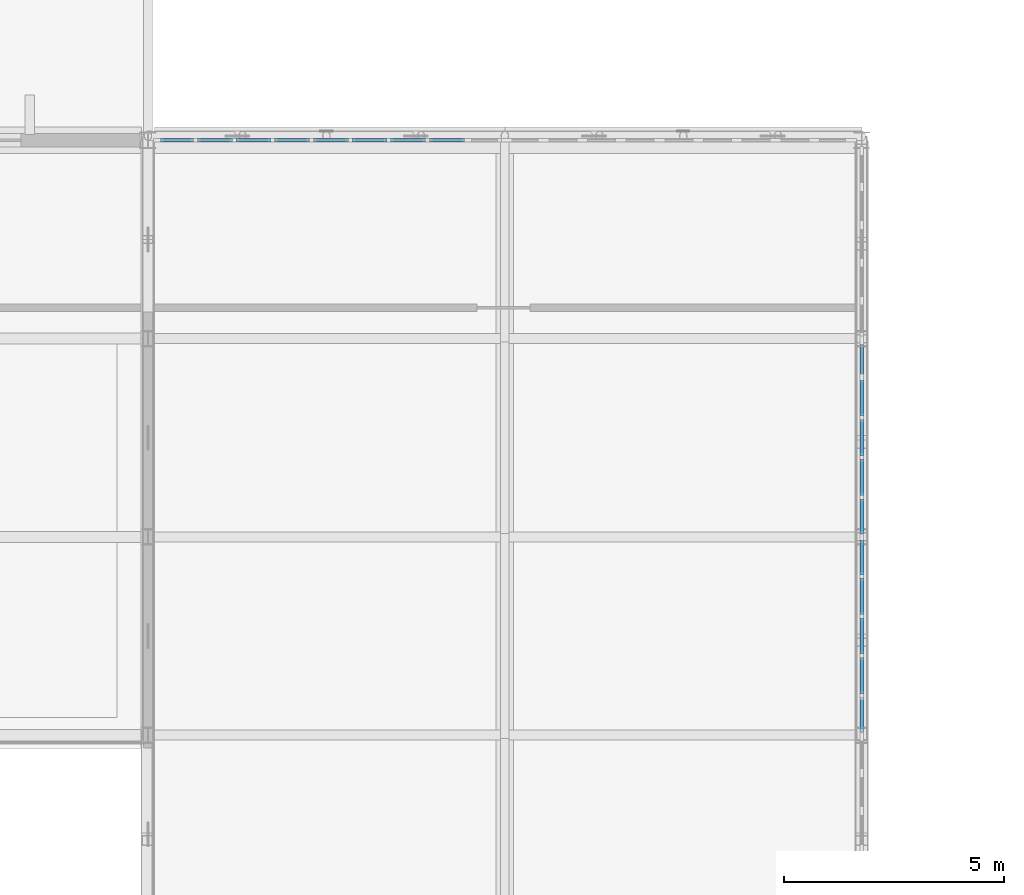
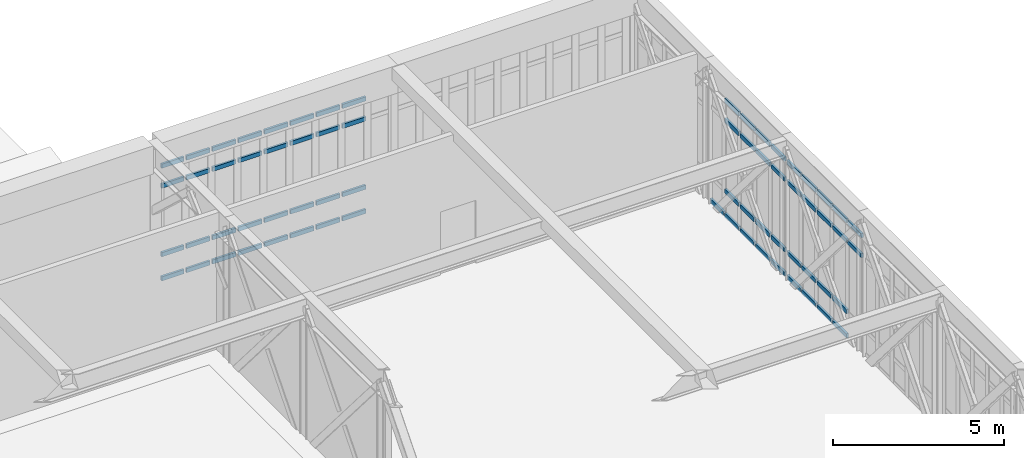
# One storey, part 34 of 70: 67 members, 3 elements without a shape of their own.
"""IFC4 building model written with IfcOpenShell, lengths in metres."""

from ifc_helpers import new_model, si_unit, direction, frame, origin, origin_2d, place, context, subcontext, project, spatial, rectangle, extrude, material, material_profile, profile_set, type_object, element, aggregate, save


model = new_model("IFC4")

# Units and contexts
model_context = context("Model", 3, precision=1e-05, world=origin(), true_north=direction((0.0, 1.0)))
body_context = subcontext(model_context, "Body", "Model", "MODEL_VIEW")
ifc_project = project(units=[si_unit("LENGTHUNIT", "METRE"), si_unit("AREAUNIT", "SQUARE_METRE"), si_unit("VOLUMEUNIT", "CUBIC_METRE"), si_unit("PLANEANGLEUNIT", "RADIAN"), si_unit("MASSUNIT", "GRAM", prefix="KILO")], contexts=[model_context])

# Site, building, storey
site_placement = place(None, origin())
site = spatial("IfcSite", under=ifc_project, at=site_placement, CompositionType="ELEMENT")
building_placement = place(site_placement, origin())
building = spatial("IfcBuilding", under=site, at=building_placement, Name="Tarnveldt Square Police Headquarters", CompositionType="ELEMENT")
storey_placement = place(building_placement, frame((0.0, 0.0, 19.800048828125)))
storey = spatial("IfcBuildingStorey", under=building, at=storey_placement, Name="L04", CompositionType="ELEMENT", Elevation=19.800048828125)

# Curtain wall, members
ifc_material_1 = material(Name="UL 752 Level III laminated ballistic vision glass", Category="glass")
curtain_wall_type_1 = type_object("IfcCurtainWallType", Name="CW-BL-790x409", PredefinedType="USERDEFINED", material=ifc_material_1)
curtain_wall_1_placement = place(storey_placement, origin())
curtain_wall_1 = element("IfcCurtainWall", 1, at=curtain_wall_1_placement, inside=storey, type_object=curtain_wall_type_1, Name="L04 Curtain Wall CW-L04-048", ObjectType="BALLISTIC CURTAIN WALL", PredefinedType="USERDEFINED")
ifc_material_2 = material(Name="Thermally broken anodised aluminium 6063-T6", Category="aluminium")
ifc_material_profile = material_profile(ifc_material_2, rectangle(XDim=0.074951171875, YDim=0.14990234375, at=origin_2d()), Name="CW-T75x150")
ifc_profile_set = profile_set([ifc_material_profile], Name="Thermally broken anodised aluminium 6063-T6")
member_type = type_object("IfcMemberType", Name="CWT-75x150", PredefinedType="USERDEFINED", material=ifc_profile_set)
member_1_placement = place(storey_placement, frame((48.886962890625, 34.0, 0.037353515625), z_axis=(1.0, 0.0, 0.0), x_axis=(0.0, 1.0, 0.0)))
member_1 = element("IfcMember", 2, at=member_1_placement, type_object=member_type, Name="CW-BL19 transom 1.1", ObjectType="TRANSOM", PredefinedType="USERDEFINED", context=body_context, shape_type="SweptSolid", body=[
    extrude(rectangle(XDim=0.074951171875, YDim=0.14990234375, at=origin_2d()), origin(), (0.0, 0.0, 1.0), 0.75),
])
member_2_placement = place(storey_placement, frame((48.886962890625, 34.0, 0.89990234375), z_axis=(1.0, 0.0, 0.0), x_axis=(0.0, 1.0, 0.0)))
member_2 = element("IfcMember", 3, at=member_2_placement, type_object=member_type, Name="CW-BL19 transom 1.2", ObjectType="TRANSOM", PredefinedType="USERDEFINED", context=body_context, shape_type="SweptSolid", body=[
    extrude(rectangle(XDim=0.074951171875, YDim=0.14990234375, at=origin_2d()), origin(), (0.0, 0.0, 1.0), 0.75),
])
member_3_placement = place(storey_placement, frame((48.886962890625, 34.0, 3.342041015625), z_axis=(1.0, 0.0, 0.0), x_axis=(0.0, 1.0, 0.0)))
member_3 = element("IfcMember", 4, at=member_3_placement, type_object=member_type, Name="CW-BL19 transom 1.3", ObjectType="TRANSOM", PredefinedType="USERDEFINED", context=body_context, shape_type="SweptSolid", body=[
    extrude(rectangle(XDim=0.074951171875, YDim=0.14990234375, at=origin_2d()), origin(), (0.0, 0.0, 1.0), 0.75),
])
member_4_placement = place(storey_placement, frame((48.886962890625, 34.0, 4.054443359375), z_axis=(1.0, 0.0, 0.0), x_axis=(0.0, 1.0, 0.0)))
member_4 = element("IfcMember", 5, at=member_4_placement, type_object=member_type, Name="CW-BL19 transom 1.4", ObjectType="TRANSOM", PredefinedType="USERDEFINED", context=body_context, shape_type="SweptSolid", body=[
    extrude(rectangle(XDim=0.074951171875, YDim=0.14990234375, at=origin_2d()), origin(), (0.0, 0.0, 1.0), 0.75),
])
member_5_placement = place(storey_placement, frame((49.72216796875, 34.0, 0.037353515625), z_axis=(1.0, 0.0, 0.0), x_axis=(0.0, 1.0, 0.0)))
member_5 = element("IfcMember", 6, at=member_5_placement, type_object=member_type, Name="CW-BL19 transom 2.1", ObjectType="TRANSOM", PredefinedType="USERDEFINED", context=body_context, shape_type="SweptSolid", body=[
    extrude(rectangle(XDim=0.074951171875, YDim=0.14990234375, at=origin_2d()), origin(), (0.0, 0.0, 1.0), 0.79248046875),
])
member_6_placement = place(storey_placement, frame((49.72216796875, 34.0, 0.89990234375), z_axis=(1.0, 0.0, 0.0), x_axis=(0.0, 1.0, 0.0)))
member_6 = element("IfcMember", 7, at=member_6_placement, type_object=member_type, Name="CW-BL19 transom 2.2", ObjectType="TRANSOM", PredefinedType="USERDEFINED", context=body_context, shape_type="SweptSolid", body=[
    extrude(rectangle(XDim=0.074951171875, YDim=0.14990234375, at=origin_2d()), origin(), (0.0, 0.0, 1.0), 0.79248046875),
])
member_7_placement = place(storey_placement, frame((49.72216796875, 34.0, 3.342041015625), z_axis=(1.0, 0.0, 0.0), x_axis=(0.0, 1.0, 0.0)))
member_7 = element("IfcMember", 8, at=member_7_placement, type_object=member_type, Name="CW-BL19 transom 2.3", ObjectType="TRANSOM", PredefinedType="USERDEFINED", context=body_context, shape_type="SweptSolid", body=[
    extrude(rectangle(XDim=0.074951171875, YDim=0.14990234375, at=origin_2d()), origin(), (0.0, 0.0, 1.0), 0.79248046875),
])
member_8_placement = place(storey_placement, frame((49.72216796875, 34.0, 4.054443359375), z_axis=(1.0, 0.0, 0.0), x_axis=(0.0, 1.0, 0.0)))
member_8 = element("IfcMember", 9, at=member_8_placement, type_object=member_type, Name="CW-BL19 transom 2.4", ObjectType="TRANSOM", PredefinedType="USERDEFINED", context=body_context, shape_type="SweptSolid", body=[
    extrude(rectangle(XDim=0.074951171875, YDim=0.14990234375, at=origin_2d()), origin(), (0.0, 0.0, 1.0), 0.79248046875),
])
member_9_placement = place(storey_placement, frame((50.599609375, 34.0, 0.037353515625), z_axis=(1.0, 0.0, 0.0), x_axis=(0.0, 1.0, 0.0)))
member_9 = element("IfcMember", 10, at=member_9_placement, type_object=member_type, Name="CW-BL19 transom 3.1", ObjectType="TRANSOM", PredefinedType="USERDEFINED", context=body_context, shape_type="SweptSolid", body=[
    extrude(rectangle(XDim=0.074951171875, YDim=0.14990234375, at=origin_2d()), origin(), (0.0, 0.0, 1.0), 0.79248046875),
])
member_10_placement = place(storey_placement, frame((50.599609375, 34.0, 0.89990234375), z_axis=(1.0, 0.0, 0.0), x_axis=(0.0, 1.0, 0.0)))
member_10 = element("IfcMember", 11, at=member_10_placement, type_object=member_type, Name="CW-BL19 transom 3.2", ObjectType="TRANSOM", PredefinedType="USERDEFINED", context=body_context, shape_type="SweptSolid", body=[
    extrude(rectangle(XDim=0.074951171875, YDim=0.14990234375, at=origin_2d()), origin(), (0.0, 0.0, 1.0), 0.79248046875),
])
member_11_placement = place(storey_placement, frame((50.599609375, 34.0, 3.342041015625), z_axis=(1.0, 0.0, 0.0), x_axis=(0.0, 1.0, 0.0)))
member_11 = element("IfcMember", 12, at=member_11_placement, type_object=member_type, Name="CW-BL19 transom 3.3", ObjectType="TRANSOM", PredefinedType="USERDEFINED", context=body_context, shape_type="SweptSolid", body=[
    extrude(rectangle(XDim=0.074951171875, YDim=0.14990234375, at=origin_2d()), origin(), (0.0, 0.0, 1.0), 0.79248046875),
])
member_12_placement = place(storey_placement, frame((50.599609375, 34.0, 4.054443359375), z_axis=(1.0, 0.0, 0.0), x_axis=(0.0, 1.0, 0.0)))
member_12 = element("IfcMember", 13, at=member_12_placement, type_object=member_type, Name="CW-BL19 transom 3.4", ObjectType="TRANSOM", PredefinedType="USERDEFINED", context=body_context, shape_type="SweptSolid", body=[
    extrude(rectangle(XDim=0.074951171875, YDim=0.14990234375, at=origin_2d()), origin(), (0.0, 0.0, 1.0), 0.79248046875),
])
member_13_placement = place(storey_placement, frame((51.47705078125, 34.0, 0.037353515625), z_axis=(1.0, 0.0, 0.0), x_axis=(0.0, 1.0, 0.0)))
member_13 = element("IfcMember", 14, at=member_13_placement, type_object=member_type, Name="CW-BL19 transom 4.1", ObjectType="TRANSOM", PredefinedType="USERDEFINED", context=body_context, shape_type="SweptSolid", body=[
    extrude(rectangle(XDim=0.074951171875, YDim=0.14990234375, at=origin_2d()), origin(), (0.0, 0.0, 1.0), 0.792724609375),
])
member_14_placement = place(storey_placement, frame((51.47705078125, 34.0, 0.89990234375), z_axis=(1.0, 0.0, 0.0), x_axis=(0.0, 1.0, 0.0)))
member_14 = element("IfcMember", 15, at=member_14_placement, type_object=member_type, Name="CW-BL19 transom 4.2", ObjectType="TRANSOM", PredefinedType="USERDEFINED", context=body_context, shape_type="SweptSolid", body=[
    extrude(rectangle(XDim=0.074951171875, YDim=0.14990234375, at=origin_2d()), origin(), (0.0, 0.0, 1.0), 0.792724609375),
])
member_15_placement = place(storey_placement, frame((51.47705078125, 34.0, 3.342041015625), z_axis=(1.0, 0.0, 0.0), x_axis=(0.0, 1.0, 0.0)))
member_15 = element("IfcMember", 16, at=member_15_placement, type_object=member_type, Name="CW-BL19 transom 4.3", ObjectType="TRANSOM", PredefinedType="USERDEFINED", context=body_context, shape_type="SweptSolid", body=[
    extrude(rectangle(XDim=0.074951171875, YDim=0.14990234375, at=origin_2d()), origin(), (0.0, 0.0, 1.0), 0.792724609375),
])
member_16_placement = place(storey_placement, frame((51.47705078125, 34.0, 4.054443359375), z_axis=(1.0, 0.0, 0.0), x_axis=(0.0, 1.0, 0.0)))
member_16 = element("IfcMember", 17, at=member_16_placement, type_object=member_type, Name="CW-BL19 transom 4.4", ObjectType="TRANSOM", PredefinedType="USERDEFINED", context=body_context, shape_type="SweptSolid", body=[
    extrude(rectangle(XDim=0.074951171875, YDim=0.14990234375, at=origin_2d()), origin(), (0.0, 0.0, 1.0), 0.792724609375),
])
member_17_placement = place(storey_placement, frame((52.354736328125, 34.0, 0.037353515625), z_axis=(1.0, 0.0, 0.0), x_axis=(0.0, 1.0, 0.0)))
member_17 = element("IfcMember", 18, at=member_17_placement, type_object=member_type, Name="CW-BL19 transom 5.1", ObjectType="TRANSOM", PredefinedType="USERDEFINED", context=body_context, shape_type="SweptSolid", body=[
    extrude(rectangle(XDim=0.074951171875, YDim=0.14990234375, at=origin_2d()), origin(), (0.0, 0.0, 1.0), 0.79248046875),
])
member_18_placement = place(storey_placement, frame((52.354736328125, 34.0, 0.89990234375), z_axis=(1.0, 0.0, 0.0), x_axis=(0.0, 1.0, 0.0)))
member_18 = element("IfcMember", 19, at=member_18_placement, type_object=member_type, Name="CW-BL19 transom 5.2", ObjectType="TRANSOM", PredefinedType="USERDEFINED", context=body_context, shape_type="SweptSolid", body=[
    extrude(rectangle(XDim=0.074951171875, YDim=0.14990234375, at=origin_2d()), origin(), (0.0, 0.0, 1.0), 0.79248046875),
])
member_19_placement = place(storey_placement, frame((52.354736328125, 34.0, 3.342041015625), z_axis=(1.0, 0.0, 0.0), x_axis=(0.0, 1.0, 0.0)))
member_19 = element("IfcMember", 20, at=member_19_placement, type_object=member_type, Name="CW-BL19 transom 5.3", ObjectType="TRANSOM", PredefinedType="USERDEFINED", context=body_context, shape_type="SweptSolid", body=[
    extrude(rectangle(XDim=0.074951171875, YDim=0.14990234375, at=origin_2d()), origin(), (0.0, 0.0, 1.0), 0.79248046875),
])
member_20_placement = place(storey_placement, frame((52.354736328125, 34.0, 4.054443359375), z_axis=(1.0, 0.0, 0.0), x_axis=(0.0, 1.0, 0.0)))
member_20 = element("IfcMember", 21, at=member_20_placement, type_object=member_type, Name="CW-BL19 transom 5.4", ObjectType="TRANSOM", PredefinedType="USERDEFINED", context=body_context, shape_type="SweptSolid", body=[
    extrude(rectangle(XDim=0.074951171875, YDim=0.14990234375, at=origin_2d()), origin(), (0.0, 0.0, 1.0), 0.79248046875),
])
member_21_placement = place(storey_placement, frame((53.232177734375, 34.0, 0.037353515625), z_axis=(1.0, 0.0, 0.0), x_axis=(0.0, 1.0, 0.0)))
member_21 = element("IfcMember", 22, at=member_21_placement, type_object=member_type, Name="CW-BL19 transom 6.1", ObjectType="TRANSOM", PredefinedType="USERDEFINED", context=body_context, shape_type="SweptSolid", body=[
    extrude(rectangle(XDim=0.074951171875, YDim=0.14990234375, at=origin_2d()), origin(), (0.0, 0.0, 1.0), 0.792724609375),
])
member_22_placement = place(storey_placement, frame((53.232177734375, 34.0, 0.89990234375), z_axis=(1.0, 0.0, 0.0), x_axis=(0.0, 1.0, 0.0)))
member_22 = element("IfcMember", 23, at=member_22_placement, type_object=member_type, Name="CW-BL19 transom 6.2", ObjectType="TRANSOM", PredefinedType="USERDEFINED", context=body_context, shape_type="SweptSolid", body=[
    extrude(rectangle(XDim=0.074951171875, YDim=0.14990234375, at=origin_2d()), origin(), (0.0, 0.0, 1.0), 0.792724609375),
])
member_23_placement = place(storey_placement, frame((53.232177734375, 34.0, 3.342041015625), z_axis=(1.0, 0.0, 0.0), x_axis=(0.0, 1.0, 0.0)))
member_23 = element("IfcMember", 24, at=member_23_placement, type_object=member_type, Name="CW-BL19 transom 6.3", ObjectType="TRANSOM", PredefinedType="USERDEFINED", context=body_context, shape_type="SweptSolid", body=[
    extrude(rectangle(XDim=0.074951171875, YDim=0.14990234375, at=origin_2d()), origin(), (0.0, 0.0, 1.0), 0.792724609375),
])
member_24_placement = place(storey_placement, frame((53.232177734375, 34.0, 4.054443359375), z_axis=(1.0, 0.0, 0.0), x_axis=(0.0, 1.0, 0.0)))
member_24 = element("IfcMember", 25, at=member_24_placement, type_object=member_type, Name="CW-BL19 transom 6.4", ObjectType="TRANSOM", PredefinedType="USERDEFINED", context=body_context, shape_type="SweptSolid", body=[
    extrude(rectangle(XDim=0.074951171875, YDim=0.14990234375, at=origin_2d()), origin(), (0.0, 0.0, 1.0), 0.792724609375),
])
member_25_placement = place(storey_placement, frame((54.10986328125, 34.0, 0.037353515625), z_axis=(1.0, 0.0, 0.0), x_axis=(0.0, 1.0, 0.0)))
member_25 = element("IfcMember", 26, at=member_25_placement, type_object=member_type, Name="CW-BL19 transom 7.1", ObjectType="TRANSOM", PredefinedType="USERDEFINED", context=body_context, shape_type="SweptSolid", body=[
    extrude(rectangle(XDim=0.074951171875, YDim=0.14990234375, at=origin_2d()), origin(), (0.0, 0.0, 1.0), 0.79248046875),
])
member_26_placement = place(storey_placement, frame((54.10986328125, 34.0, 0.89990234375), z_axis=(1.0, 0.0, 0.0), x_axis=(0.0, 1.0, 0.0)))
member_26 = element("IfcMember", 27, at=member_26_placement, type_object=member_type, Name="CW-BL19 transom 7.2", ObjectType="TRANSOM", PredefinedType="USERDEFINED", context=body_context, shape_type="SweptSolid", body=[
    extrude(rectangle(XDim=0.074951171875, YDim=0.14990234375, at=origin_2d()), origin(), (0.0, 0.0, 1.0), 0.79248046875),
])
member_27_placement = place(storey_placement, frame((54.10986328125, 34.0, 3.342041015625), z_axis=(1.0, 0.0, 0.0), x_axis=(0.0, 1.0, 0.0)))
member_27 = element("IfcMember", 28, at=member_27_placement, type_object=member_type, Name="CW-BL19 transom 7.3", ObjectType="TRANSOM", PredefinedType="USERDEFINED", context=body_context, shape_type="SweptSolid", body=[
    extrude(rectangle(XDim=0.074951171875, YDim=0.14990234375, at=origin_2d()), origin(), (0.0, 0.0, 1.0), 0.79248046875),
])
member_28_placement = place(storey_placement, frame((54.10986328125, 34.0, 4.054443359375), z_axis=(1.0, 0.0, 0.0), x_axis=(0.0, 1.0, 0.0)))
member_28 = element("IfcMember", 29, at=member_28_placement, type_object=member_type, Name="CW-BL19 transom 7.4", ObjectType="TRANSOM", PredefinedType="USERDEFINED", context=body_context, shape_type="SweptSolid", body=[
    extrude(rectangle(XDim=0.074951171875, YDim=0.14990234375, at=origin_2d()), origin(), (0.0, 0.0, 1.0), 0.79248046875),
])
member_29_placement = place(storey_placement, frame((54.9873046875, 34.0, 0.037353515625), z_axis=(1.0, 0.0, 0.0), x_axis=(0.0, 1.0, 0.0)))
member_29 = element("IfcMember", 30, at=member_29_placement, type_object=member_type, Name="CW-BL19 transom 8.1", ObjectType="TRANSOM", PredefinedType="USERDEFINED", context=body_context, shape_type="SweptSolid", body=[
    extrude(rectangle(XDim=0.074951171875, YDim=0.14990234375, at=origin_2d()), origin(), (0.0, 0.0, 1.0), 0.792724609375),
])
member_30_placement = place(storey_placement, frame((54.9873046875, 34.0, 0.89990234375), z_axis=(1.0, 0.0, 0.0), x_axis=(0.0, 1.0, 0.0)))
member_30 = element("IfcMember", 31, at=member_30_placement, type_object=member_type, Name="CW-BL19 transom 8.2", ObjectType="TRANSOM", PredefinedType="USERDEFINED", context=body_context, shape_type="SweptSolid", body=[
    extrude(rectangle(XDim=0.074951171875, YDim=0.14990234375, at=origin_2d()), origin(), (0.0, 0.0, 1.0), 0.792724609375),
])
member_31_placement = place(storey_placement, frame((54.9873046875, 34.0, 3.342041015625), z_axis=(1.0, 0.0, 0.0), x_axis=(0.0, 1.0, 0.0)))
member_31 = element("IfcMember", 32, at=member_31_placement, type_object=member_type, Name="CW-BL19 transom 8.3", ObjectType="TRANSOM", PredefinedType="USERDEFINED", context=body_context, shape_type="SweptSolid", body=[
    extrude(rectangle(XDim=0.074951171875, YDim=0.14990234375, at=origin_2d()), origin(), (0.0, 0.0, 1.0), 0.792724609375),
])
member_32_placement = place(storey_placement, frame((54.9873046875, 34.0, 4.054443359375), z_axis=(1.0, 0.0, 0.0), x_axis=(0.0, 1.0, 0.0)))
member_32 = element("IfcMember", 33, at=member_32_placement, type_object=member_type, Name="CW-BL19 transom 8.4", ObjectType="TRANSOM", PredefinedType="USERDEFINED", context=body_context, shape_type="SweptSolid", body=[
    extrude(rectangle(XDim=0.074951171875, YDim=0.14990234375, at=origin_2d()), origin(), (0.0, 0.0, 1.0), 0.792724609375),
])
aggregate(curtain_wall_1, [member_1, member_2, member_3, member_4, member_5, member_6, member_7, member_8, member_9, member_10, member_11, member_12, member_13, member_14, member_15, member_16, member_17, member_18, member_19, member_20, member_21, member_22, member_23, member_24, member_25, member_26, member_27, member_28, member_29, member_30, member_31, member_32])

ifc_material_3 = material(Name="Triple-glazed low-e laminated vision glass", Category="glass")
curtain_wall_type_2 = type_object("IfcCurtainWallType", Name="CW-LT-450x417", PredefinedType="USERDEFINED", material=ifc_material_3)
curtain_wall_2_placement = place(storey_placement, origin())
curtain_wall_2 = element("IfcCurtainWall", 34, at=curtain_wall_2_placement, inside=storey, type_object=curtain_wall_type_2, Name="L04 Curtain Wall CW-L04-059", ObjectType="GLAZED CURTAIN WALL", PredefinedType="USERDEFINED")
member_33_placement = place(storey_placement, frame((64.800048828125, 20.574951171875, 3.4228515625), z_axis=(0.0, 1.0, 0.0), x_axis=(-1.0, 0.0, 0.0)))
member_33 = element("IfcMember", 35, at=member_33_placement, type_object=member_type, Name="CW-LT22 transom 1.3", ObjectType="TRANSOM", PredefinedType="USERDEFINED", context=body_context, shape_type="SweptSolid", body=[
    extrude(rectangle(XDim=0.074951171875, YDim=0.14990234375, at=origin_2d()), origin(), (0.0, 0.0, 1.0), 0.78759765625),
])
member_34_placement = place(storey_placement, frame((64.800048828125, 20.574951171875, 4.135498046875), z_axis=(0.0, 1.0, 0.0), x_axis=(-1.0, 0.0, 0.0)))
member_34 = element("IfcMember", 36, at=member_34_placement, type_object=member_type, Name="CW-LT22 transom 1.4", ObjectType="TRANSOM", PredefinedType="USERDEFINED", context=body_context, shape_type="SweptSolid", body=[
    extrude(rectangle(XDim=0.074951171875, YDim=0.14990234375, at=origin_2d()), origin(), (0.0, 0.0, 1.0), 0.78759765625),
])
member_35_placement = place(storey_placement, frame((64.800048828125, 21.4375, 0.037353515625), z_axis=(0.0, 1.0, 0.0), x_axis=(-1.0, 0.0, 0.0)))
member_35 = element("IfcMember", 37, at=member_35_placement, type_object=member_type, Name="CW-LT22 transom 2.1", ObjectType="TRANSOM", PredefinedType="USERDEFINED", context=body_context, shape_type="SweptSolid", body=[
    extrude(rectangle(XDim=0.074951171875, YDim=0.14990234375, at=origin_2d()), origin(), (0.0, 0.0, 1.0), 0.824951171875),
])
member_36_placement = place(storey_placement, frame((64.800048828125, 21.4375, 0.89990234375), z_axis=(0.0, 1.0, 0.0), x_axis=(-1.0, 0.0, 0.0)))
member_36 = element("IfcMember", 38, at=member_36_placement, type_object=member_type, Name="CW-LT22 transom 2.2", ObjectType="TRANSOM", PredefinedType="USERDEFINED", context=body_context, shape_type="SweptSolid", body=[
    extrude(rectangle(XDim=0.074951171875, YDim=0.14990234375, at=origin_2d()), origin(), (0.0, 0.0, 1.0), 0.824951171875),
])
member_37_placement = place(storey_placement, frame((64.800048828125, 21.4375, 3.4228515625), z_axis=(0.0, 1.0, 0.0), x_axis=(-1.0, 0.0, 0.0)))
member_37 = element("IfcMember", 39, at=member_37_placement, type_object=member_type, Name="CW-LT22 transom 2.3", ObjectType="TRANSOM", PredefinedType="USERDEFINED", context=body_context, shape_type="SweptSolid", body=[
    extrude(rectangle(XDim=0.074951171875, YDim=0.14990234375, at=origin_2d()), origin(), (0.0, 0.0, 1.0), 0.824951171875),
])
member_38_placement = place(storey_placement, frame((64.800048828125, 21.4375, 4.135498046875), z_axis=(0.0, 1.0, 0.0), x_axis=(-1.0, 0.0, 0.0)))
member_38 = element("IfcMember", 40, at=member_38_placement, type_object=member_type, Name="CW-LT22 transom 2.4", ObjectType="TRANSOM", PredefinedType="USERDEFINED", context=body_context, shape_type="SweptSolid", body=[
    extrude(rectangle(XDim=0.074951171875, YDim=0.14990234375, at=origin_2d()), origin(), (0.0, 0.0, 1.0), 0.824951171875),
])
member_39_placement = place(storey_placement, frame((64.800048828125, 22.33740234375, 0.037353515625), z_axis=(0.0, 1.0, 0.0), x_axis=(-1.0, 0.0, 0.0)))
member_39 = element("IfcMember", 41, at=member_39_placement, type_object=member_type, Name="CW-LT22 transom 3.1", ObjectType="TRANSOM", PredefinedType="USERDEFINED", context=body_context, shape_type="SweptSolid", body=[
    extrude(rectangle(XDim=0.074951171875, YDim=0.14990234375, at=origin_2d()), origin(), (0.0, 0.0, 1.0), 0.8251953125),
])
member_40_placement = place(storey_placement, frame((64.800048828125, 22.33740234375, 0.89990234375), z_axis=(0.0, 1.0, 0.0), x_axis=(-1.0, 0.0, 0.0)))
member_40 = element("IfcMember", 42, at=member_40_placement, type_object=member_type, Name="CW-LT22 transom 3.2", ObjectType="TRANSOM", PredefinedType="USERDEFINED", context=body_context, shape_type="SweptSolid", body=[
    extrude(rectangle(XDim=0.074951171875, YDim=0.14990234375, at=origin_2d()), origin(), (0.0, 0.0, 1.0), 0.8251953125),
])
member_41_placement = place(storey_placement, frame((64.800048828125, 22.33740234375, 3.4228515625), z_axis=(0.0, 1.0, 0.0), x_axis=(-1.0, 0.0, 0.0)))
member_41 = element("IfcMember", 43, at=member_41_placement, type_object=member_type, Name="CW-LT22 transom 3.3", ObjectType="TRANSOM", PredefinedType="USERDEFINED", context=body_context, shape_type="SweptSolid", body=[
    extrude(rectangle(XDim=0.074951171875, YDim=0.14990234375, at=origin_2d()), origin(), (0.0, 0.0, 1.0), 0.8251953125),
])
member_42_placement = place(storey_placement, frame((64.800048828125, 22.33740234375, 4.135498046875), z_axis=(0.0, 1.0, 0.0), x_axis=(-1.0, 0.0, 0.0)))
member_42 = element("IfcMember", 44, at=member_42_placement, type_object=member_type, Name="CW-LT22 transom 3.4", ObjectType="TRANSOM", PredefinedType="USERDEFINED", context=body_context, shape_type="SweptSolid", body=[
    extrude(rectangle(XDim=0.074951171875, YDim=0.14990234375, at=origin_2d()), origin(), (0.0, 0.0, 1.0), 0.8251953125),
])
member_43_placement = place(storey_placement, frame((64.800048828125, 23.237548828125, 0.037353515625), z_axis=(0.0, 1.0, 0.0), x_axis=(-1.0, 0.0, 0.0)))
member_43 = element("IfcMember", 45, at=member_43_placement, type_object=member_type, Name="CW-LT22 transom 4.1", ObjectType="TRANSOM", PredefinedType="USERDEFINED", context=body_context, shape_type="SweptSolid", body=[
    extrude(rectangle(XDim=0.074951171875, YDim=0.14990234375, at=origin_2d()), origin(), (0.0, 0.0, 1.0), 0.824951171875),
])
member_44_placement = place(storey_placement, frame((64.800048828125, 23.237548828125, 0.89990234375), z_axis=(0.0, 1.0, 0.0), x_axis=(-1.0, 0.0, 0.0)))
member_44 = element("IfcMember", 46, at=member_44_placement, type_object=member_type, Name="CW-LT22 transom 4.2", ObjectType="TRANSOM", PredefinedType="USERDEFINED", context=body_context, shape_type="SweptSolid", body=[
    extrude(rectangle(XDim=0.074951171875, YDim=0.14990234375, at=origin_2d()), origin(), (0.0, 0.0, 1.0), 0.824951171875),
])
member_45_placement = place(storey_placement, frame((64.800048828125, 23.237548828125, 3.4228515625), z_axis=(0.0, 1.0, 0.0), x_axis=(-1.0, 0.0, 0.0)))
member_45 = element("IfcMember", 47, at=member_45_placement, type_object=member_type, Name="CW-LT22 transom 4.3", ObjectType="TRANSOM", PredefinedType="USERDEFINED", context=body_context, shape_type="SweptSolid", body=[
    extrude(rectangle(XDim=0.074951171875, YDim=0.14990234375, at=origin_2d()), origin(), (0.0, 0.0, 1.0), 0.824951171875),
])
member_46_placement = place(storey_placement, frame((64.800048828125, 23.237548828125, 4.135498046875), z_axis=(0.0, 1.0, 0.0), x_axis=(-1.0, 0.0, 0.0)))
member_46 = element("IfcMember", 48, at=member_46_placement, type_object=member_type, Name="CW-LT22 transom 4.4", ObjectType="TRANSOM", PredefinedType="USERDEFINED", context=body_context, shape_type="SweptSolid", body=[
    extrude(rectangle(XDim=0.074951171875, YDim=0.14990234375, at=origin_2d()), origin(), (0.0, 0.0, 1.0), 0.824951171875),
])
member_47_placement = place(storey_placement, frame((64.800048828125, 24.137451171875, 0.037353515625), z_axis=(0.0, 1.0, 0.0), x_axis=(-1.0, 0.0, 0.0)))
member_47 = element("IfcMember", 49, at=member_47_placement, type_object=member_type, Name="CW-LT22 transom 5.1", ObjectType="TRANSOM", PredefinedType="USERDEFINED", context=body_context, shape_type="SweptSolid", body=[
    extrude(rectangle(XDim=0.074951171875, YDim=0.14990234375, at=origin_2d()), origin(), (0.0, 0.0, 1.0), 0.78759765625),
])
member_48_placement = place(storey_placement, frame((64.800048828125, 24.137451171875, 0.89990234375), z_axis=(0.0, 1.0, 0.0), x_axis=(-1.0, 0.0, 0.0)))
member_48 = element("IfcMember", 50, at=member_48_placement, type_object=member_type, Name="CW-LT22 transom 5.2", ObjectType="TRANSOM", PredefinedType="USERDEFINED", context=body_context, shape_type="SweptSolid", body=[
    extrude(rectangle(XDim=0.074951171875, YDim=0.14990234375, at=origin_2d()), origin(), (0.0, 0.0, 1.0), 0.78759765625),
])
member_49_placement = place(storey_placement, frame((64.800048828125, 24.137451171875, 3.4228515625), z_axis=(0.0, 1.0, 0.0), x_axis=(-1.0, 0.0, 0.0)))
member_49 = element("IfcMember", 51, at=member_49_placement, type_object=member_type, Name="CW-LT22 transom 5.3", ObjectType="TRANSOM", PredefinedType="USERDEFINED", context=body_context, shape_type="SweptSolid", body=[
    extrude(rectangle(XDim=0.074951171875, YDim=0.14990234375, at=origin_2d()), origin(), (0.0, 0.0, 1.0), 0.78759765625),
])
member_50_placement = place(storey_placement, frame((64.800048828125, 24.137451171875, 4.135498046875), z_axis=(0.0, 1.0, 0.0), x_axis=(-1.0, 0.0, 0.0)))
member_50 = element("IfcMember", 52, at=member_50_placement, type_object=member_type, Name="CW-LT22 transom 5.4", ObjectType="TRANSOM", PredefinedType="USERDEFINED", context=body_context, shape_type="SweptSolid", body=[
    extrude(rectangle(XDim=0.074951171875, YDim=0.14990234375, at=origin_2d()), origin(), (0.0, 0.0, 1.0), 0.78759765625),
])
aggregate(curtain_wall_2, [member_33, member_34, member_35, member_36, member_37, member_38, member_39, member_40, member_41, member_42, member_43, member_44, member_45, member_46, member_47, member_48, member_49, member_50])

curtain_wall_3_placement = place(storey_placement, origin())
curtain_wall_3 = element("IfcCurtainWall", 53, at=curtain_wall_3_placement, inside=storey, type_object=curtain_wall_type_2, Name="L04 Curtain Wall CW-L04-060", ObjectType="GLAZED CURTAIN WALL", PredefinedType="USERDEFINED")
member_51_placement = place(storey_placement, frame((64.800048828125, 25.074951171875, 0.037353515625), z_axis=(0.0, 1.0, 0.0), x_axis=(-1.0, 0.0, 0.0)))
member_51 = element("IfcMember", 54, at=member_51_placement, type_object=member_type, Name="CW-LT22 transom 1.1", ObjectType="TRANSOM", PredefinedType="USERDEFINED", context=body_context, shape_type="SweptSolid", body=[
    extrude(rectangle(XDim=0.074951171875, YDim=0.14990234375, at=origin_2d()), origin(), (0.0, 0.0, 1.0), 0.78759765625),
])
member_52_placement = place(storey_placement, frame((64.800048828125, 25.074951171875, 0.89990234375), z_axis=(0.0, 1.0, 0.0), x_axis=(-1.0, 0.0, 0.0)))
member_52 = element("IfcMember", 55, at=member_52_placement, type_object=member_type, Name="CW-LT22 transom 1.2", ObjectType="TRANSOM", PredefinedType="USERDEFINED", context=body_context, shape_type="SweptSolid", body=[
    extrude(rectangle(XDim=0.074951171875, YDim=0.14990234375, at=origin_2d()), origin(), (0.0, 0.0, 1.0), 0.78759765625),
])
member_53_placement = place(storey_placement, frame((64.800048828125, 25.074951171875, 3.4228515625), z_axis=(0.0, 1.0, 0.0), x_axis=(-1.0, 0.0, 0.0)))
member_53 = element("IfcMember", 56, at=member_53_placement, type_object=member_type, Name="CW-LT22 transom 1.3", ObjectType="TRANSOM", PredefinedType="USERDEFINED", context=body_context, shape_type="SweptSolid", body=[
    extrude(rectangle(XDim=0.074951171875, YDim=0.14990234375, at=origin_2d()), origin(), (0.0, 0.0, 1.0), 0.78759765625),
])
member_54_placement = place(storey_placement, frame((64.800048828125, 25.074951171875, 4.135498046875), z_axis=(0.0, 1.0, 0.0), x_axis=(-1.0, 0.0, 0.0)))
member_54 = element("IfcMember", 57, at=member_54_placement, type_object=member_type, Name="CW-LT22 transom 1.4", ObjectType="TRANSOM", PredefinedType="USERDEFINED", context=body_context, shape_type="SweptSolid", body=[
    extrude(rectangle(XDim=0.074951171875, YDim=0.14990234375, at=origin_2d()), origin(), (0.0, 0.0, 1.0), 0.78759765625),
])
member_55_placement = place(storey_placement, frame((64.800048828125, 25.9375, 0.037353515625), z_axis=(0.0, 1.0, 0.0), x_axis=(-1.0, 0.0, 0.0)))
member_55 = element("IfcMember", 58, at=member_55_placement, type_object=member_type, Name="CW-LT22 transom 2.1", ObjectType="TRANSOM", PredefinedType="USERDEFINED", context=body_context, shape_type="SweptSolid", body=[
    extrude(rectangle(XDim=0.074951171875, YDim=0.14990234375, at=origin_2d()), origin(), (0.0, 0.0, 1.0), 0.824951171875),
])
member_56_placement = place(storey_placement, frame((64.800048828125, 25.9375, 0.89990234375), z_axis=(0.0, 1.0, 0.0), x_axis=(-1.0, 0.0, 0.0)))
member_56 = element("IfcMember", 59, at=member_56_placement, type_object=member_type, Name="CW-LT22 transom 2.2", ObjectType="TRANSOM", PredefinedType="USERDEFINED", context=body_context, shape_type="SweptSolid", body=[
    extrude(rectangle(XDim=0.074951171875, YDim=0.14990234375, at=origin_2d()), origin(), (0.0, 0.0, 1.0), 0.824951171875),
])
member_57_placement = place(storey_placement, frame((64.800048828125, 25.9375, 3.4228515625), z_axis=(0.0, 1.0, 0.0), x_axis=(-1.0, 0.0, 0.0)))
member_57 = element("IfcMember", 60, at=member_57_placement, type_object=member_type, Name="CW-LT22 transom 2.3", ObjectType="TRANSOM", PredefinedType="USERDEFINED", context=body_context, shape_type="SweptSolid", body=[
    extrude(rectangle(XDim=0.074951171875, YDim=0.14990234375, at=origin_2d()), origin(), (0.0, 0.0, 1.0), 0.824951171875),
])
member_58_placement = place(storey_placement, frame((64.800048828125, 25.9375, 4.135498046875), z_axis=(0.0, 1.0, 0.0), x_axis=(-1.0, 0.0, 0.0)))
member_58 = element("IfcMember", 61, at=member_58_placement, type_object=member_type, Name="CW-LT22 transom 2.4", ObjectType="TRANSOM", PredefinedType="USERDEFINED", context=body_context, shape_type="SweptSolid", body=[
    extrude(rectangle(XDim=0.074951171875, YDim=0.14990234375, at=origin_2d()), origin(), (0.0, 0.0, 1.0), 0.824951171875),
])
member_59_placement = place(storey_placement, frame((64.800048828125, 26.83740234375, 0.037353515625), z_axis=(0.0, 1.0, 0.0), x_axis=(-1.0, 0.0, 0.0)))
member_59 = element("IfcMember", 62, at=member_59_placement, type_object=member_type, Name="CW-LT22 transom 3.1", ObjectType="TRANSOM", PredefinedType="USERDEFINED", context=body_context, shape_type="SweptSolid", body=[
    extrude(rectangle(XDim=0.074951171875, YDim=0.14990234375, at=origin_2d()), origin(), (0.0, 0.0, 1.0), 0.8251953125),
])
member_60_placement = place(storey_placement, frame((64.800048828125, 26.83740234375, 0.89990234375), z_axis=(0.0, 1.0, 0.0), x_axis=(-1.0, 0.0, 0.0)))
member_60 = element("IfcMember", 63, at=member_60_placement, type_object=member_type, Name="CW-LT22 transom 3.2", ObjectType="TRANSOM", PredefinedType="USERDEFINED", context=body_context, shape_type="SweptSolid", body=[
    extrude(rectangle(XDim=0.074951171875, YDim=0.14990234375, at=origin_2d()), origin(), (0.0, 0.0, 1.0), 0.8251953125),
])
member_61_placement = place(storey_placement, frame((64.800048828125, 26.83740234375, 3.4228515625), z_axis=(0.0, 1.0, 0.0), x_axis=(-1.0, 0.0, 0.0)))
member_61 = element("IfcMember", 64, at=member_61_placement, type_object=member_type, Name="CW-LT22 transom 3.3", ObjectType="TRANSOM", PredefinedType="USERDEFINED", context=body_context, shape_type="SweptSolid", body=[
    extrude(rectangle(XDim=0.074951171875, YDim=0.14990234375, at=origin_2d()), origin(), (0.0, 0.0, 1.0), 0.8251953125),
])
member_62_placement = place(storey_placement, frame((64.800048828125, 26.83740234375, 4.135498046875), z_axis=(0.0, 1.0, 0.0), x_axis=(-1.0, 0.0, 0.0)))
member_62 = element("IfcMember", 65, at=member_62_placement, type_object=member_type, Name="CW-LT22 transom 3.4", ObjectType="TRANSOM", PredefinedType="USERDEFINED", context=body_context, shape_type="SweptSolid", body=[
    extrude(rectangle(XDim=0.074951171875, YDim=0.14990234375, at=origin_2d()), origin(), (0.0, 0.0, 1.0), 0.8251953125),
])
member_63_placement = place(storey_placement, frame((64.800048828125, 27.737548828125, 0.037353515625), z_axis=(0.0, 1.0, 0.0), x_axis=(-1.0, 0.0, 0.0)))
member_63 = element("IfcMember", 66, at=member_63_placement, type_object=member_type, Name="CW-LT22 transom 4.1", ObjectType="TRANSOM", PredefinedType="USERDEFINED", context=body_context, shape_type="SweptSolid", body=[
    extrude(rectangle(XDim=0.074951171875, YDim=0.14990234375, at=origin_2d()), origin(), (0.0, 0.0, 1.0), 0.824951171875),
])
member_64_placement = place(storey_placement, frame((64.800048828125, 27.737548828125, 0.89990234375), z_axis=(0.0, 1.0, 0.0), x_axis=(-1.0, 0.0, 0.0)))
member_64 = element("IfcMember", 67, at=member_64_placement, type_object=member_type, Name="CW-LT22 transom 4.2", ObjectType="TRANSOM", PredefinedType="USERDEFINED", context=body_context, shape_type="SweptSolid", body=[
    extrude(rectangle(XDim=0.074951171875, YDim=0.14990234375, at=origin_2d()), origin(), (0.0, 0.0, 1.0), 0.824951171875),
])
member_65_placement = place(storey_placement, frame((64.800048828125, 27.737548828125, 3.4228515625), z_axis=(0.0, 1.0, 0.0), x_axis=(-1.0, 0.0, 0.0)))
member_65 = element("IfcMember", 68, at=member_65_placement, type_object=member_type, Name="CW-LT22 transom 4.3", ObjectType="TRANSOM", PredefinedType="USERDEFINED", context=body_context, shape_type="SweptSolid", body=[
    extrude(rectangle(XDim=0.074951171875, YDim=0.14990234375, at=origin_2d()), origin(), (0.0, 0.0, 1.0), 0.824951171875),
])
member_66_placement = place(storey_placement, frame((64.800048828125, 27.737548828125, 4.135498046875), z_axis=(0.0, 1.0, 0.0), x_axis=(-1.0, 0.0, 0.0)))
member_66 = element("IfcMember", 69, at=member_66_placement, type_object=member_type, Name="CW-LT22 transom 4.4", ObjectType="TRANSOM", PredefinedType="USERDEFINED", context=body_context, shape_type="SweptSolid", body=[
    extrude(rectangle(XDim=0.074951171875, YDim=0.14990234375, at=origin_2d()), origin(), (0.0, 0.0, 1.0), 0.824951171875),
])
member_67_placement = place(storey_placement, frame((64.800048828125, 28.637451171875, 0.037353515625), z_axis=(0.0, 1.0, 0.0), x_axis=(-1.0, 0.0, 0.0)))
member_67 = element("IfcMember", 70, at=member_67_placement, type_object=member_type, Name="CW-LT22 transom 5.1", ObjectType="TRANSOM", PredefinedType="USERDEFINED", context=body_context, shape_type="SweptSolid", body=[
    extrude(rectangle(XDim=0.074951171875, YDim=0.14990234375, at=origin_2d()), origin(), (0.0, 0.0, 1.0), 0.78759765625),
])
aggregate(curtain_wall_3, [member_51, member_52, member_53, member_54, member_55, member_56, member_57, member_58, member_59, member_60, member_61, member_62, member_63, member_64, member_65, member_66, member_67])

save(model, "model.ifc")
